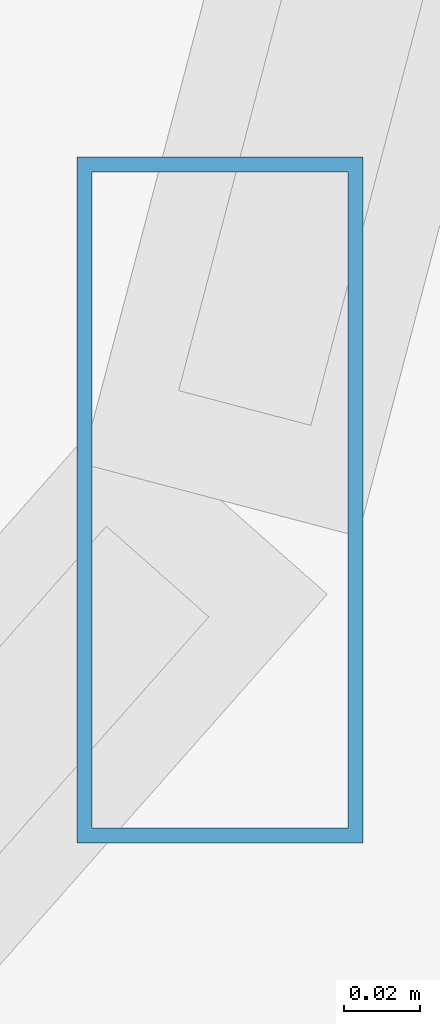
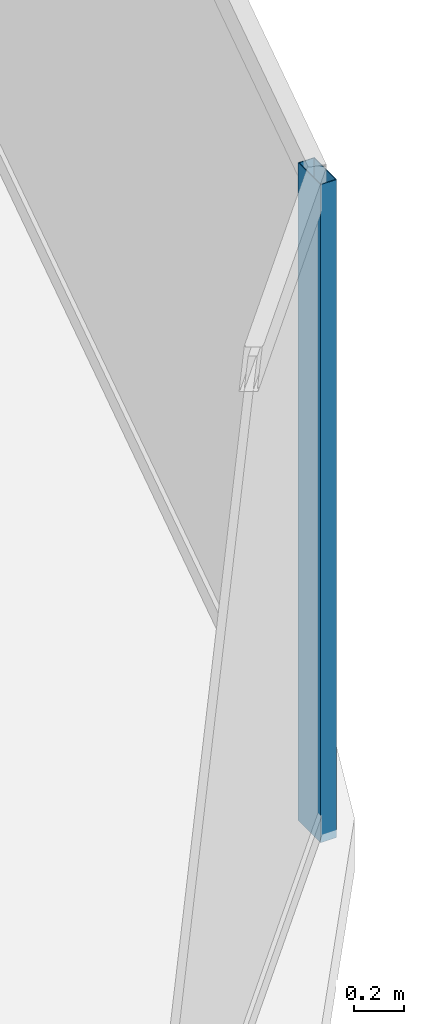
# One storey, part 13 of 29: 1 member, 1 element without a shape of its own.
"""IFC4 building model written with IfcOpenShell, lengths in metres."""

from ifc_helpers import new_model, si_unit, direction, frame, origin, origin_2d, place, context, subcontext, project, spatial, hollow_rectangle, extrude, material, material_profile, profile_set, type_object, element, aggregate, save


model = new_model("IFC4")

# Units and contexts
model_context = context("Model", 3, precision=1e-05, world=origin(), true_north=direction((0.0, 1.0)))
body_context = subcontext(model_context, "Body", "Model", "MODEL_VIEW")
ifc_project = project(units=[si_unit("LENGTHUNIT", "METRE"), si_unit("AREAUNIT", "SQUARE_METRE"), si_unit("VOLUMEUNIT", "CUBIC_METRE"), si_unit("PLANEANGLEUNIT", "RADIAN"), si_unit("MASSUNIT", "GRAM", prefix="KILO")], contexts=[model_context])

# Site, building, storey
site_placement = place(None, origin())
site = spatial("IfcSite", under=ifc_project, at=site_placement, CompositionType="ELEMENT")
building_placement = place(site_placement, origin())
building = spatial("IfcBuilding", under=site, at=building_placement, Name="Vorneva Point Tower", CompositionType="ELEMENT")
storey_placement = place(building_placement, frame((0.0, 0.0, 120.800048828125)))
storey = spatial("IfcBuildingStorey", under=building, at=storey_placement, Name="L32", CompositionType="ELEMENT", Elevation=120.800048828125)

# Curtain wall, member
ifc_material = material(Name="Pale anodised aluminium", Category="aluminium")
curtain_wall_type = type_object("IfcCurtainWallType", Name="CW-HTL-SYS", PredefinedType="NOTDEFINED", material=ifc_material)
curtain_wall_placement = place(storey_placement, origin())
curtain_wall = element("IfcCurtainWall", 1, at=curtain_wall_placement, inside=storey, type_object=curtain_wall_type, Name="L32 Unitised Curtain Wall CW-L32-R04", PredefinedType="NOTDEFINED")
ifc_material_profile = material_profile(ifc_material, hollow_rectangle(XDim=0.074951171875, YDim=0.179931640625, WallThickness=0.00390625, at=origin_2d()), Name="AL-MUL 180x75x4")
ifc_profile_set = profile_set([ifc_material_profile], Name="Pale anodised aluminium")
member_type = type_object("IfcMemberType", Name="CW-MUL-180", PredefinedType="MULLION", material=ifc_profile_set)
member_placement = place(storey_placement, frame((62.251708984375, 18.40380859375, -0.0400390625), z_axis=(0.0, 0.0, 1.0), x_axis=(1.0, 0.0, 0.0)))
member = element("IfcMember", 2, at=member_placement, type_object=member_type, Name="CW-L32-R04 Mullion 02", PredefinedType="MULLION", context=body_context, shape_type="SweptSolid", body=[
    extrude(hollow_rectangle(XDim=0.074951171875, YDim=0.179931640625, WallThickness=0.00390625, at=origin_2d()), origin(), (0.0, 0.0, 1.0), 3.219970703125),
])
aggregate(curtain_wall, [member])

save(model, "model.ifc")
